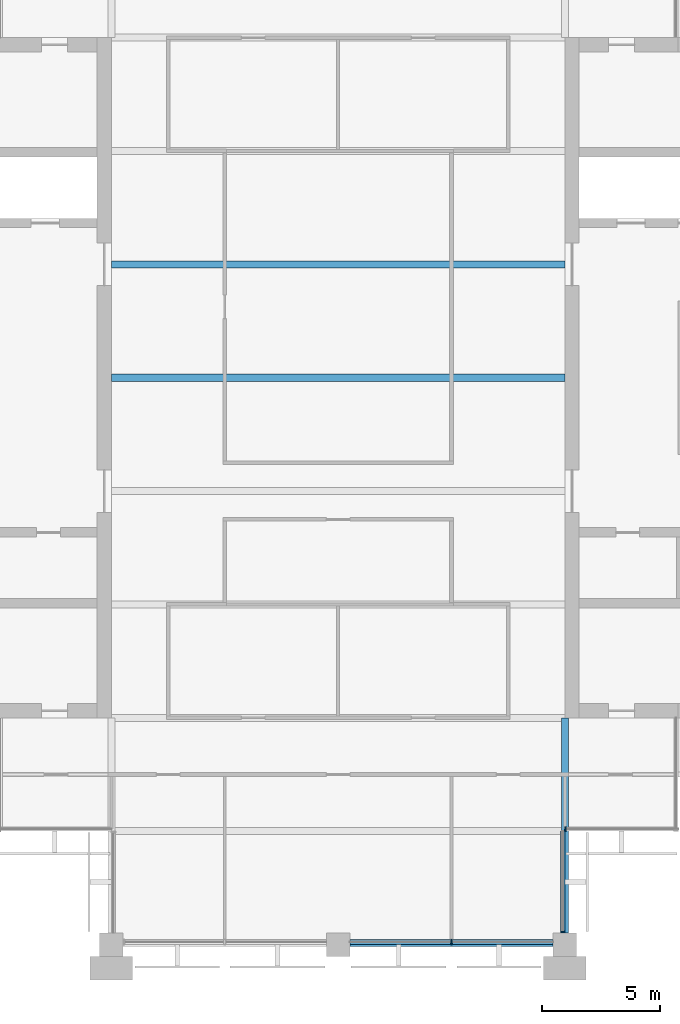
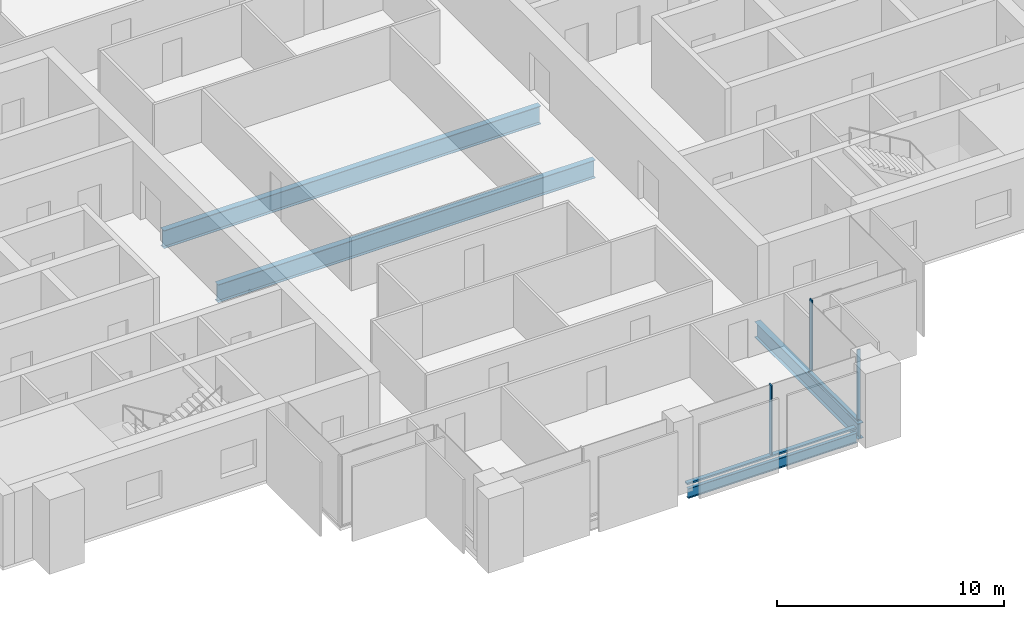
# One storey, part 3 of 13: 5 members, 4 beams, 3 elements without a shape of their own.
"""IFC4 building model written with IfcOpenShell, lengths in metres."""

from ifc_helpers import new_model, si_unit, direction, frame, origin, origin_2d, place, context, subcontext, project, spatial, rectangle, i_section, extrude, material, material_profile, profile_set, type_object, element, aggregate, save


model = new_model("IFC4")

# Units and contexts
model_context = context("Model", 3, precision=1e-05, world=origin(), true_north=direction((0.0, 1.0)))
body_context = subcontext(model_context, "Body", "Model", "MODEL_VIEW")
ifc_project = project(units=[si_unit("LENGTHUNIT", "METRE"), si_unit("AREAUNIT", "SQUARE_METRE"), si_unit("VOLUMEUNIT", "CUBIC_METRE"), si_unit("PLANEANGLEUNIT", "RADIAN"), si_unit("MASSUNIT", "GRAM", prefix="KILO")], contexts=[model_context])

# Site, building, storey
site_placement = place(None, origin())
site = spatial("IfcSite", under=ifc_project, at=site_placement, CompositionType="ELEMENT")
building_placement = place(site_placement, origin())
building = spatial("IfcBuilding", under=site, at=building_placement, Name="Baori Bourse Tower", CompositionType="ELEMENT")
storey_placement = place(building_placement, frame((0.0, 0.0, 334.300048828125)))
storey = spatial("IfcBuildingStorey", under=building, at=storey_placement, Name="L74", CompositionType="ELEMENT", Elevation=334.300048828125)

# Curtain wall, member
ifc_material_1 = material(Name="Pale anodised aluminium", Category="aluminium")
curtain_wall_type_1 = type_object("IfcCurtainWallType", Name="CW2 Curtain wall", PredefinedType="NOTDEFINED", material=ifc_material_1)
curtain_wall_1_placement = place(storey_placement, origin())
curtain_wall_1 = element("IfcCurtainWall", 1, at=curtain_wall_1_placement, inside=storey, type_object=curtain_wall_type_1, Name="Curtain wall CW2 L74 12", PredefinedType="NOTDEFINED")
ifc_material_2 = material(Name="Pale anodised aluminium", Category="aluminium")
ifc_material_profile_1 = material_profile(ifc_material_2, rectangle(XDim=0.179931640625, YDim=0.054931640625, at=origin_2d()), Name="Mullion 55x180")
ifc_profile_set_1 = profile_set([ifc_material_profile_1], Name="Pale anodised aluminium")
member_type_1 = type_object("IfcMemberType", Name="CW2 Curtain wall mullion", PredefinedType="MULLION", material=ifc_profile_set_1)
member_1_placement = place(storey_placement, frame((38.31005859375, 0.527587890625, 0.070068359375), z_axis=(0.0, 0.0, 1.0), x_axis=(-1.0, 0.0, 0.0)))
member_1 = element("IfcMember", 2, at=member_1_placement, type_object=member_type_1, Name="Curtain wall CW2 mullion", PredefinedType="MULLION", context=body_context, shape_type="SweptSolid", body=[
    extrude(rectangle(XDim=0.179931640625, YDim=0.054931640625, at=origin_2d()), origin(), (0.0, 0.0, 1.0), 3.769775390625),
])

curtain_wall_2_placement = place(storey_placement, origin())
curtain_wall_2 = element("IfcCurtainWall", 3, at=curtain_wall_2_placement, inside=storey, type_object=curtain_wall_type_1, Name="Curtain wall CW2 L74 13", PredefinedType="NOTDEFINED")
member_2_placement = place(storey_placement, frame((38.427490234375, 4.889892578125, 0.070068359375), z_axis=(0.0, 0.0, 1.0), x_axis=(0.0, 1.0, 0.0)))
member_2 = element("IfcMember", 4, at=member_2_placement, type_object=member_type_1, Name="Curtain wall CW2 mullion", PredefinedType="MULLION", context=body_context, shape_type="SweptSolid", body=[
    extrude(rectangle(XDim=0.179931640625, YDim=0.054931640625, at=origin_2d()), origin(), (0.0, 0.0, 1.0), 3.769775390625),
])
aggregate(curtain_wall_2, [member_2])

# Member
ifc_material_3 = material(Name="Pale anodised aluminium", Category="aluminium")
ifc_material_profile_2 = material_profile(ifc_material_3, rectangle(XDim=0.179931640625, YDim=0.070068359375, at=origin_2d()), Name="Transom 70x180")
ifc_profile_set_2 = profile_set([ifc_material_profile_2], Name="Pale anodised aluminium")
member_type_2 = type_object("IfcMemberType", Name="CW2 Curtain wall transom", PredefinedType="USERDEFINED", material=ifc_profile_set_2)
member_3_placement = place(storey_placement, frame((38.31005859375, 0.5, 0.034912109375), z_axis=(0.0, 1.0, 0.0), x_axis=(-1.0, 0.0, 0.0)))
member_3 = element("IfcMember", 5, at=member_3_placement, type_object=member_type_2, Name="Curtain wall CW2 sill rail", ObjectType="TRANSOM", PredefinedType="USERDEFINED", context=body_context, shape_type="SweptSolid", body=[
    extrude(rectangle(XDim=0.179931640625, YDim=0.070068359375, at=origin_2d()), origin(), (0.0, 0.0, 1.0), 4.300048828125),
])

aggregate(curtain_wall_1, [member_3, member_1])

# Curtain wall, members
ifc_material_4 = material(Name="Pale anodised aluminium", Category="aluminium")
curtain_wall_type_2 = type_object("IfcCurtainWallType", Name="CW5 Curtain wall", PredefinedType="NOTDEFINED", material=ifc_material_4)
curtain_wall_3_placement = place(storey_placement, origin())
curtain_wall_3 = element("IfcCurtainWall", 6, at=curtain_wall_3_placement, inside=storey, type_object=curtain_wall_type_2, Name="Curtain wall CW5 L74 11", PredefinedType="NOTDEFINED")
ifc_material_5 = material(Name="Pale anodised aluminium", Category="aluminium")
ifc_material_profile_3 = material_profile(ifc_material_5, rectangle(XDim=0.219970703125, YDim=0.06494140625, at=origin_2d()), Name="Mullion 65x220")
ifc_profile_set_3 = profile_set([ifc_material_profile_3], Name="Pale anodised aluminium")
member_type_3 = type_object("IfcMemberType", Name="CW5 Curtain wall mullion", PredefinedType="MULLION", material=ifc_profile_set_3)
member_4_placement = place(storey_placement, frame((33.60009765625, 0.110107421875, 0.0849609375), z_axis=(0.0, 0.0, 1.0), x_axis=(0.0, 1.0, 0.0)))
member_4 = element("IfcMember", 7, at=member_4_placement, type_object=member_type_3, Name="Curtain wall CW5 mullion", PredefinedType="MULLION", context=body_context, shape_type="SweptSolid", body=[
    extrude(rectangle(XDim=0.219970703125, YDim=0.06494140625, at=origin_2d()), origin(), (0.0, 0.0, 1.0), 3.7548828125),
])
ifc_material_6 = material(Name="Pale anodised aluminium", Category="aluminium")
ifc_material_profile_4 = material_profile(ifc_material_6, rectangle(XDim=0.219970703125, YDim=0.0849609375, at=origin_2d()), Name="Transom 85x220")
ifc_profile_set_4 = profile_set([ifc_material_profile_4], Name="Pale anodised aluminium")
member_type_4 = type_object("IfcMemberType", Name="CW5 Curtain wall transom", PredefinedType="USERDEFINED", material=ifc_profile_set_4)
member_5_placement = place(storey_placement, frame((29.300048828125, 0.110107421875, 0.04248046875), z_axis=(1.0, 0.0, 0.0), x_axis=(0.0, 1.0, 0.0)))
member_5 = element("IfcMember", 8, at=member_5_placement, type_object=member_type_4, Name="Curtain wall CW5 sill rail", ObjectType="TRANSOM", PredefinedType="USERDEFINED", context=body_context, shape_type="SweptSolid", body=[
    extrude(rectangle(XDim=0.219970703125, YDim=0.0849609375, at=origin_2d()), origin(), (0.0, 0.0, 1.0), 8.599853515625),
])
aggregate(curtain_wall_3, [member_5, member_4])

# Beams
ifc_material_7 = material(Name="Steel A992 Gr 50", Category="steel")
ifc_material_profile_5 = material_profile(ifc_material_7, i_section(OverallWidth=0.1650390625, OverallDepth=0.52587890625, WebThickness=0.0087890625, FlangeThickness=0.011474609375, at=origin_2d()), Name="W21x44")
ifc_profile_set_5 = profile_set([ifc_material_profile_5], Name="Steel A992 Gr 50")
beam_type_1 = type_object("IfcBeamType", Name="Edge beam W21x44", PredefinedType="BEAM", material=ifc_profile_set_5)
beam_1_placement = place(storey_placement, frame((29.300048828125, 0.0, -0.4228515625), z_axis=(1.0, 0.0, 0.0), x_axis=(0.0, 1.0, 0.0)))
element("IfcBeam", 9, at=beam_1_placement, inside=storey, type_object=beam_type_1, Name="Edge beam L74", PredefinedType="BEAM", context=body_context, shape_type="SweptSolid", body=[
    extrude(i_section(OverallWidth=0.1650390625, OverallDepth=0.52587890625, WebThickness=0.0087890625, FlangeThickness=0.011474609375, at=origin_2d()), origin(), (0.0, 0.0, 1.0), 8.599853515625),
])
ifc_material_8 = material(Name="Steel A992 Gr 50", Category="steel")
ifc_material_profile_6 = material_profile(ifc_material_8, i_section(OverallWidth=0.2998046875, OverallDepth=0.97021484375, WebThickness=0.01611328125, FlangeThickness=0.02099609375, at=origin_2d()), Name="W40x149")
ifc_profile_set_6 = profile_set([ifc_material_profile_6], Name="Steel A992 Gr 50")
beam_type_2 = type_object("IfcBeamType", Name="Floor beam W40x149", PredefinedType="BEAM", material=ifc_profile_set_6)
for number, where, z_axis, x_axis, name in (
    (10, (19.199951171875, 24.0, -0.645263671875), (1.0, 0.0, 0.0), (0.0, 1.0, 0.0), "Floor beam L74"),
    (11, (19.199951171875, 28.800048828125, -0.645263671875), (1.0, 0.0, 0.0), (0.0, 1.0, 0.0), "Floor beam L74"),
):
    element("IfcBeam", number, at=place(storey_placement, frame(where, z_axis=z_axis, x_axis=x_axis)), inside=storey, type_object=beam_type_2, Name=name, PredefinedType="BEAM", context=body_context, shape_type="SweptSolid", body=[
        extrude(i_section(OverallWidth=0.2998046875, OverallDepth=0.97021484375, WebThickness=0.01611328125, FlangeThickness=0.02099609375, at=origin_2d()), origin(), (0.0, 0.0, 1.0), 19.199951171875),
    ])
ifc_material_9 = material(Name="Steel A992 Gr 50", Category="steel")
ifc_material_profile_7 = material_profile(ifc_material_9, i_section(OverallWidth=0.2919921875, OverallDepth=0.835693359375, WebThickness=0.013916015625, FlangeThickness=0.018798828125, at=origin_2d()), Name="W33x118")
ifc_profile_set_7 = profile_set([ifc_material_profile_7], Name="Steel A992 Gr 50")
beam_type_3 = type_object("IfcBeamType", Name="Girder W33x118", PredefinedType="BEAM", material=ifc_profile_set_7)
beam_2_placement = place(storey_placement, frame((38.39990234375, 0.5, -0.577880859375), z_axis=(0.0, 1.0, 0.0), x_axis=(-1.0, 0.0, 0.0)))
element("IfcBeam", 12, at=beam_2_placement, inside=storey, type_object=beam_type_3, Name="Girder L74", PredefinedType="BEAM", context=body_context, shape_type="SweptSolid", body=[
    extrude(i_section(OverallWidth=0.2919921875, OverallDepth=0.835693359375, WebThickness=0.013916015625, FlangeThickness=0.018798828125, at=origin_2d()), origin(), (0.0, 0.0, 1.0), 9.10009765625),
])

save(model, "model.ifc")
